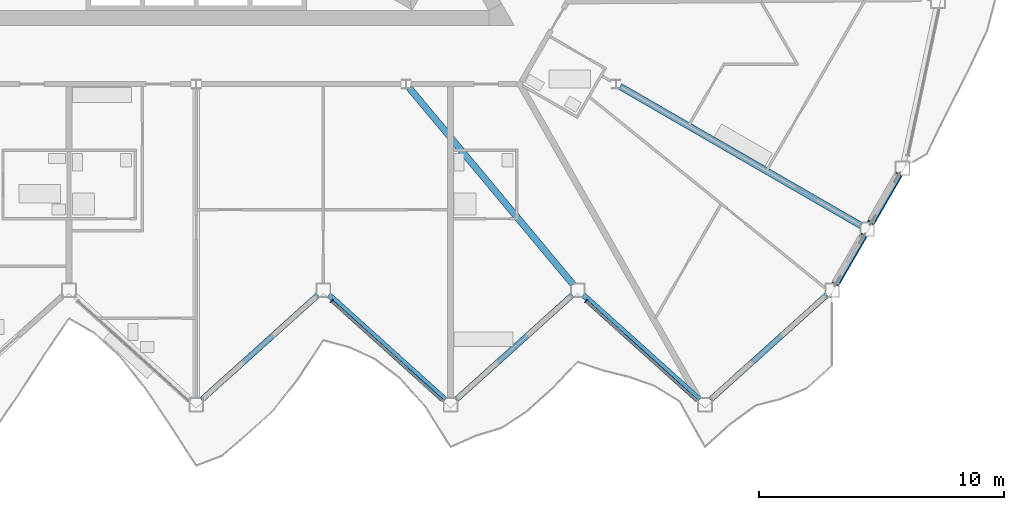
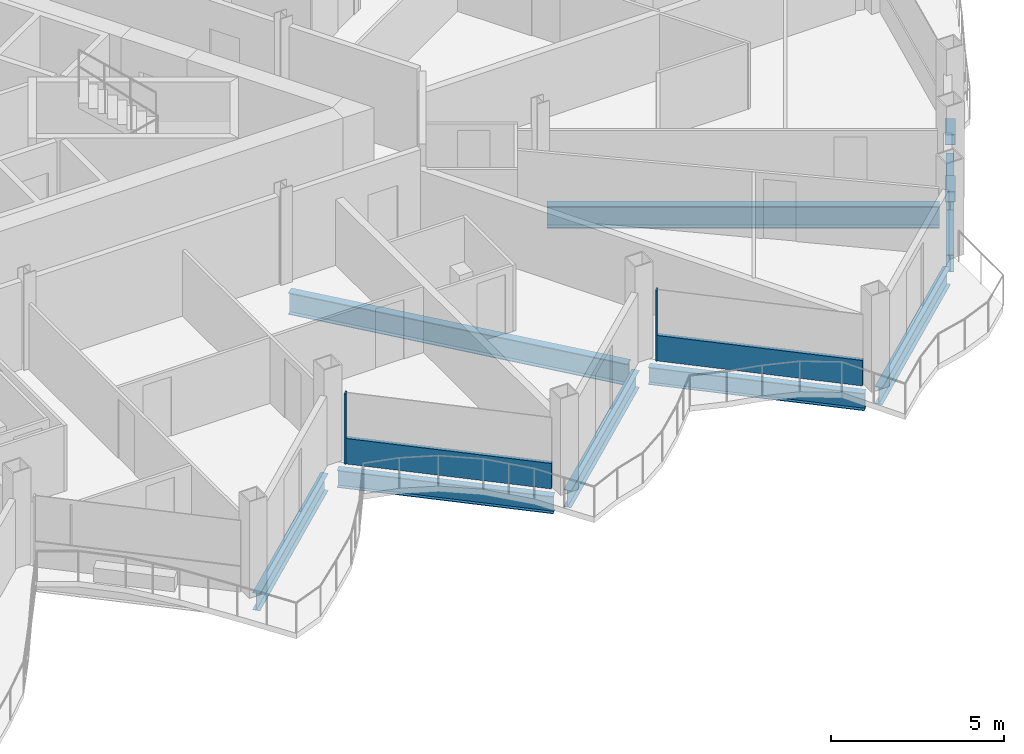
# One storey, part 7 of 26: 9 beams, 6 members, 2 elements without a shape of their own.
"""IFC4 building model written with IfcOpenShell, lengths in metres."""

from ifc_helpers import new_model, si_unit, direction, frame, origin, origin_2d, place, context, subcontext, project, spatial, rectangle, hollow_rectangle, i_section, extrude, material, layer, layer_set, material_profile, profile_set, type_object, element, aggregate, save


model = new_model("IFC4")

# Units and contexts
model_context = context("Model", 3, precision=1e-05, world=origin(), true_north=direction((0.0, 1.0)))
body_context = subcontext(model_context, "Body", "Model", "MODEL_VIEW")
ifc_project = project(units=[si_unit("LENGTHUNIT", "METRE"), si_unit("AREAUNIT", "SQUARE_METRE"), si_unit("VOLUMEUNIT", "CUBIC_METRE"), si_unit("PLANEANGLEUNIT", "RADIAN"), si_unit("MASSUNIT", "GRAM", prefix="KILO")], contexts=[model_context])

# Site, building, storey
site_placement = place(None, origin())
site = spatial("IfcSite", under=ifc_project, at=site_placement, CompositionType="ELEMENT")
building_placement = place(site_placement, origin())
building = spatial("IfcBuilding", under=site, at=building_placement, Name="Cormorant Prow Tower", CompositionType="ELEMENT")
storey_placement = place(building_placement, frame((0.0, 0.0, 339.199951171875)))
storey = spatial("IfcBuildingStorey", under=building, at=storey_placement, Name="L76", CompositionType="ELEMENT", Elevation=339.199951171875)

# Members
ifc_material_1 = material(Name="Structural steel ASTM A500 Gr C", Category="steel")
ifc_material_profile_1 = material_profile(ifc_material_1, hollow_rectangle(XDim=0.3046875, YDim=0.3046875, WallThickness=0.01171875, at=origin_2d()), Name="HSS12x12x1/2")
ifc_profile_set_1 = profile_set([ifc_material_profile_1], Name="Structural steel ASTM A500 Gr C")
member_type_1 = type_object("IfcMemberType", Name="Chamfer brace HSS12x12x1/2", PredefinedType="BRACE", material=ifc_profile_set_1)
for number, where, z_axis, x_axis, name in (
    (1, (27.27490234375, -16.110595703125, 0.7412109375), (-0.456265706889, -0.790324476185, 0.408911759503), (0.866038851724, -0.499976706761, 0.0), "Chamfer brace BR3 at ESE00 L76"),
    (2, (28.711669921875, -13.621826171875, 0.7412109375), (-0.456265706889, -0.790324476185, 0.408911759503), (0.866038851724, -0.499976706761, 0.0), "Chamfer brace BR3 at ESE01 L76"),
):
    element("IfcMember", number, at=place(storey_placement, frame(where, z_axis=z_axis, x_axis=x_axis)), inside=storey, type_object=member_type_1, Name=name, PredefinedType="BRACE", context=body_context, shape_type="SweptSolid", body=[
        extrude(hollow_rectangle(XDim=0.3046875, YDim=0.3046875, WallThickness=0.01171875, at=origin_2d()), origin(), (0.0, 0.0, 1.0), 2.459228515625),
    ])

# Beams
ifc_material_2 = material(Name="Structural steel ASTM A992 Gr 50", Category="steel")
ifc_material_profile_2 = material_profile(ifc_material_2, i_section(OverallWidth=0.267822265625, OverallDepth=0.77001953125, WebThickness=0.015625, FlangeThickness=0.025390625, at=origin_2d()), Name="W30x132")
ifc_profile_set_2 = profile_set([ifc_material_profile_2], Name="Structural steel ASTM A992 Gr 50")
beam_type_1 = type_object("IfcBeamType", Name="Radial floor beam W30x132", PredefinedType="BEAM", material=ifc_profile_set_2)
beam_1_placement = place(storey_placement, frame((8.705078125, -10.057373046875, -0.684814453125), z_axis=(0.640239469619, -0.768175384624, 0.0), x_axis=(0.768175384624, 0.640239469619, 0.0)))
element("IfcBeam", 3, at=beam_1_placement, inside=storey, type_object=beam_type_1, Name="Radial floor beam FB3 8 L76", PredefinedType="BEAM", context=body_context, shape_type="SweptSolid", body=[
    extrude(i_section(OverallWidth=0.267822265625, OverallDepth=0.77001953125, WebThickness=0.015625, FlangeThickness=0.025390625, at=origin_2d()), origin(), (0.0, 0.0, 1.0), 10.465087890625),
])
beam_2_placement = place(storey_placement, frame((17.328125, -10.00439453125, -0.684814453125), z_axis=(0.866024637028, -0.500001328059, 0.0), x_axis=(0.500001328059, 0.866024637028, 0.0)))
element("IfcBeam", 4, at=beam_2_placement, inside=storey, type_object=beam_type_1, Name="Radial floor beam FB3 9 L76", PredefinedType="BEAM", context=body_context, shape_type="SweptSolid", body=[
    extrude(i_section(OverallWidth=0.267822265625, OverallDepth=0.77001953125, WebThickness=0.015625, FlangeThickness=0.025390625, at=origin_2d()), origin(), (0.0, 0.0, 1.0), 11.3671875),
])

# Curtain wall, member
ifc_material_3 = material(Name="Aluminium 6063-T6", Category="aluminium")
ifc_layer = layer(ifc_material_3, 0.159912109375)
ifc_layer_set = layer_set([ifc_layer], Name="Aluminium 6063-T6")
curtain_wall_type = type_object("IfcCurtainWallType", Name="Residential unitised curtain wall 160", PredefinedType="NOTDEFINED", material=ifc_layer_set)
curtain_wall_1_placement = place(storey_placement, origin())
curtain_wall_1 = element("IfcCurtainWall", 5, at=curtain_wall_1_placement, inside=storey, type_object=curtain_wall_type, Name="Residential curtain wall S06", PredefinedType="NOTDEFINED")
ifc_material_4 = material(Name="Aluminium 6063-T6", Category="aluminium")
ifc_material_profile_3 = material_profile(ifc_material_4, rectangle(XDim=0.159912109375, YDim=0.050048828125, at=origin_2d()), Name="Residential mullion 50x160")
ifc_profile_set_3 = profile_set([ifc_material_profile_3], Name="Aluminium 6063-T6")
member_type_2 = type_object("IfcMemberType", Name="Residential mullion 50x160", PredefinedType="MULLION", material=ifc_profile_set_3)
member_1_placement = place(storey_placement, frame((5.53857421875, -18.772705078125, 0.0), z_axis=(0.0, 0.0, 1.0), x_axis=(0.669130659174, 0.743144777922, 0.0)))
member_1 = element("IfcMember", 6, at=member_1_placement, type_object=member_type_2, Name="Residential mullion S06", PredefinedType="MULLION", context=body_context, shape_type="SweptSolid", body=[
    extrude(rectangle(XDim=0.159912109375, YDim=0.050048828125, at=origin_2d()), origin(), (0.0, 0.0, 1.0), 2.488037109375),
])

curtain_wall_2_placement = place(storey_placement, origin())
curtain_wall_2 = element("IfcCurtainWall", 7, at=curtain_wall_2_placement, inside=storey, type_object=curtain_wall_type, Name="Residential curtain wall S08", PredefinedType="NOTDEFINED")
member_2_placement = place(storey_placement, frame((15.93359375, -18.772705078125, 0.0), z_axis=(0.0, 0.0, 1.0), x_axis=(0.669130588071, 0.743144841944, 0.0)))
member_2 = element("IfcMember", 8, at=member_2_placement, type_object=member_type_2, Name="Residential mullion S08", PredefinedType="MULLION", context=body_context, shape_type="SweptSolid", body=[
    extrude(rectangle(XDim=0.159912109375, YDim=0.050048828125, at=origin_2d()), origin(), (0.0, 0.0, 1.0), 2.488037109375),
])

# Member
ifc_material_5 = material(Name="Terracotta", Category="masonry")
ifc_material_profile_4 = material_profile(ifc_material_5, rectangle(XDim=0.1201171875, YDim=0.89990234375, at=origin_2d()), Name="Residential terracotta spandrel rail 120x900")
ifc_profile_set_4 = profile_set([ifc_material_profile_4], Name="Terracotta")
member_type_3 = type_object("IfcMemberType", Name="Residential terracotta spandrel rail 120x900", PredefinedType="USERDEFINED", material=ifc_profile_set_4)
member_3_placement = place(storey_placement, frame((5.55712890625, -18.789306640625, 0.449951171875), z_axis=(0.743144281997, -0.669131209954, 0.0), x_axis=(0.669131209954, 0.743144281997, 0.0)))
member_3 = element("IfcMember", 9, at=member_3_placement, type_object=member_type_3, Name="Residential spandrel rail S06", ObjectType="TRANSOM", PredefinedType="USERDEFINED", context=body_context, shape_type="SweptSolid", body=[
    extrude(rectangle(XDim=0.1201171875, YDim=0.89990234375, at=origin_2d()), origin(), (0.0, 0.0, 1.0), 6.075927734375),
])

aggregate(curtain_wall_1, [member_1, member_3])

member_4_placement = place(storey_placement, frame((15.9521484375, -18.789306640625, 0.449951171875), z_axis=(0.743144281997, -0.669131209954, 0.0), x_axis=(0.669131209954, 0.743144281997, 0.0)))
member_4 = element("IfcMember", 10, at=member_4_placement, type_object=member_type_3, Name="Residential spandrel rail S08", ObjectType="TRANSOM", PredefinedType="USERDEFINED", context=body_context, shape_type="SweptSolid", body=[
    extrude(rectangle(XDim=0.1201171875, YDim=0.89990234375, at=origin_2d()), origin(), (0.0, 0.0, 1.0), 6.075927734375),
])

aggregate(curtain_wall_2, [member_2, member_4])

# Beams
ifc_material_6 = material(Name="Structural steel ASTM A992 Gr 50", Category="steel")
ifc_material_profile_5 = material_profile(ifc_material_6, i_section(OverallWidth=0.22900390625, OverallDepth=0.612060546875, WebThickness=0.011962890625, FlangeThickness=0.01953125, at=origin_2d()), Name="W24x84")
ifc_profile_set_5 = profile_set([ifc_material_profile_5], Name="Structural steel ASTM A992 Gr 50")
beam_type_2 = type_object("IfcBeamType", Name="Spandrel beam W24x84", PredefinedType="SPANDREL", material=ifc_profile_set_5)
for number, where, z_axis, x_axis, name in (
    (11, (0.222900390625, -22.807373046875, -0.60595703125), (0.743144186555, 0.669131315954, 0.0), (-0.669131315954, 0.743144186555, 0.0), "Spandrel beam SB3 S05-S06 L76"),
    (12, (5.422119140625, -18.527587890625, -0.60595703125), (0.743144186555, -0.669131315954, 0.0), (0.669131315954, 0.743144186555, 0.0), "Spandrel beam SB3 S06-S07 L76"),
    (13, (10.62109375, -22.807373046875, -0.60595703125), (0.743144186555, 0.669131315954, 0.0), (-0.669131315954, 0.743144186555, 0.0), "Spandrel beam SB3 S07-S08 L76"),
):
    element("IfcBeam", number, at=place(storey_placement, frame(where, z_axis=z_axis, x_axis=x_axis)), inside=storey, type_object=beam_type_2, Name=name, PredefinedType="SPANDREL", context=body_context, shape_type="SweptSolid", body=[
        extrude(i_section(OverallWidth=0.22900390625, OverallDepth=0.612060546875, WebThickness=0.011962890625, FlangeThickness=0.01953125, at=origin_2d()), origin(), (0.0, 0.0, 1.0), 6.39599609375),
    ])
beam_3_placement = place(storey_placement, frame((15.820068359375, -18.527587890625, -0.60595703125), z_axis=(0.743161276225, -0.669112335502, 0.0), x_axis=(0.669112335502, 0.743161276225, 0.0)))
element("IfcBeam", 14, at=beam_3_placement, inside=storey, type_object=beam_type_2, Name="Spandrel beam SB3 S08-S09 L76", PredefinedType="SPANDREL", context=body_context, shape_type="SweptSolid", body=[
    extrude(i_section(OverallWidth=0.22900390625, OverallDepth=0.612060546875, WebThickness=0.011962890625, FlangeThickness=0.01953125, at=origin_2d()), origin(), (0.0, 0.0, 1.0), 6.396240234375),
])
beam_4_placement = place(storey_placement, frame((21.019287109375, -22.807373046875, -0.60595703125), z_axis=(0.743144186555, 0.669131315954, 0.0), x_axis=(-0.669131315954, 0.743144186555, 0.0)))
element("IfcBeam", 15, at=beam_4_placement, inside=storey, type_object=beam_type_2, Name="Spandrel beam SB3 S09-ESE00 L76", PredefinedType="SPANDREL", context=body_context, shape_type="SweptSolid", body=[
    extrude(i_section(OverallWidth=0.22900390625, OverallDepth=0.612060546875, WebThickness=0.011962890625, FlangeThickness=0.01953125, at=origin_2d()), origin(), (0.0, 0.0, 1.0), 6.39599609375),
])
beam_5_placement = place(storey_placement, frame((26.1455078125, -18.06689453125, -0.60595703125), z_axis=(0.49997342893, 0.866040744055, 0.0), x_axis=(-0.866040744055, 0.49997342893, 0.0)))
element("IfcBeam", 16, at=beam_5_placement, inside=storey, type_object=beam_type_2, Name="Spandrel beam SB3 ESE00-ESE01 L76", PredefinedType="SPANDREL", context=body_context, shape_type="SweptSolid", body=[
    extrude(i_section(OverallWidth=0.22900390625, OverallDepth=0.612060546875, WebThickness=0.011962890625, FlangeThickness=0.01953125, at=origin_2d()), origin(), (0.0, 0.0, 1.0), 2.2734375),
])
beam_6_placement = place(storey_placement, frame((27.582275390625, -15.578125, -0.60595703125), z_axis=(0.500053962254, 0.865994246421, 0.0), x_axis=(-0.865994246421, 0.500053962254, 0.0)))
element("IfcBeam", 17, at=beam_6_placement, inside=storey, type_object=beam_type_2, Name="Spandrel beam SB3 ESE01-ENE00 L76", PredefinedType="SPANDREL", context=body_context, shape_type="SweptSolid", body=[
    extrude(i_section(OverallWidth=0.22900390625, OverallDepth=0.612060546875, WebThickness=0.011962890625, FlangeThickness=0.01953125, at=origin_2d()), origin(), (0.0, 0.0, 1.0), 2.273681640625),
])

save(model, "model.ifc")
